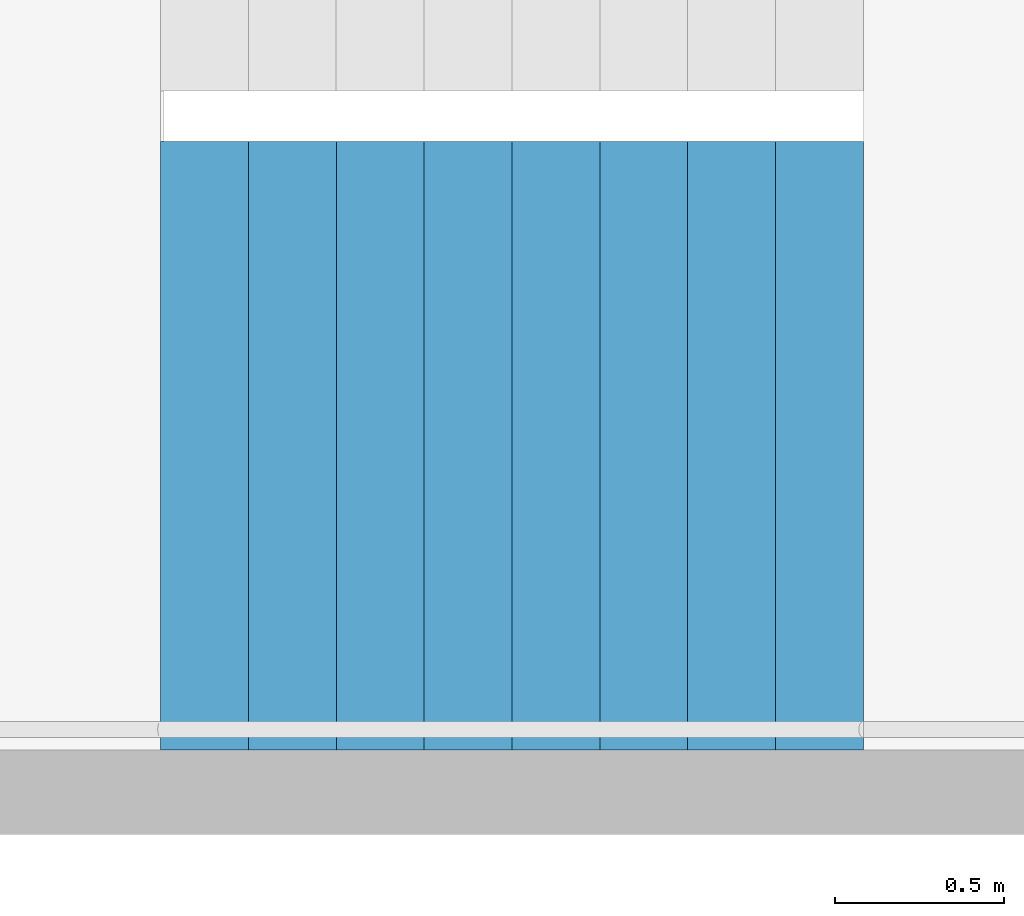
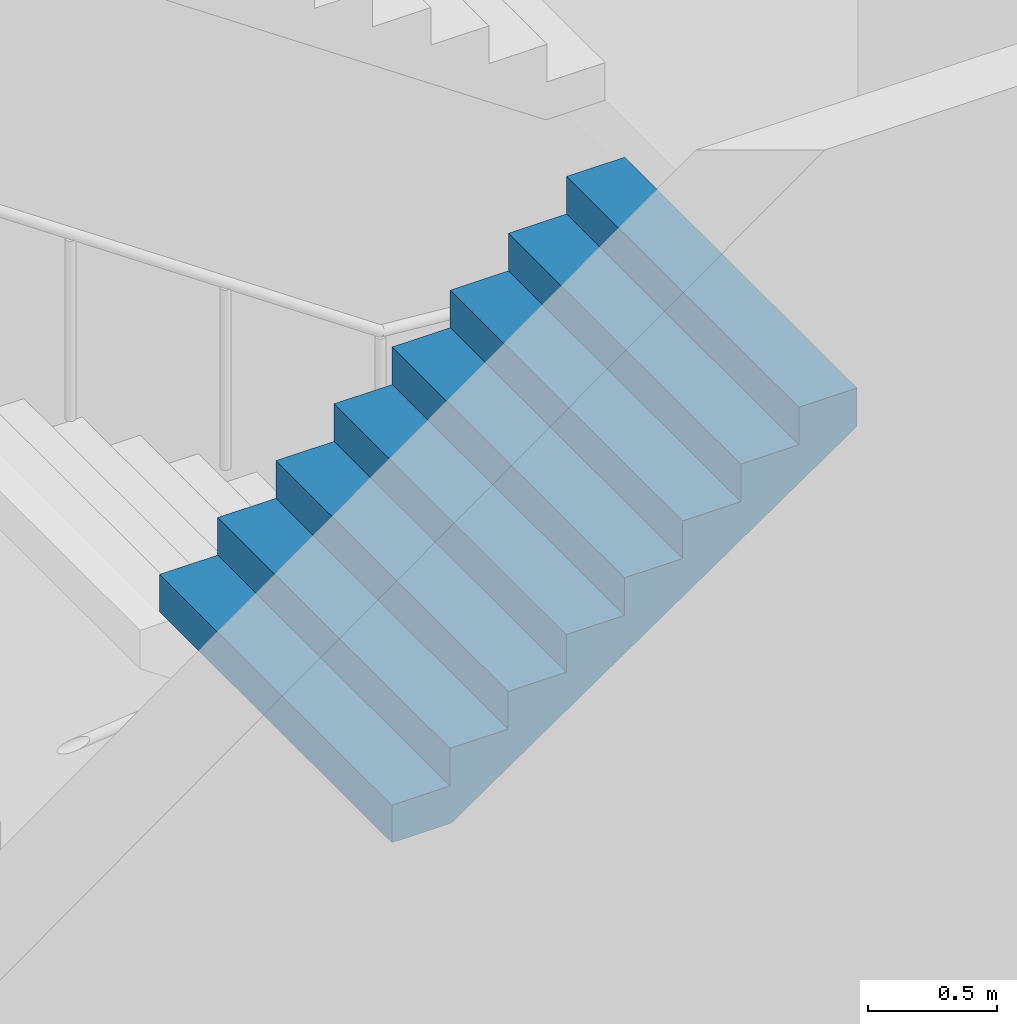
# One storey, part 22 of 44: 1 stair flight, 1 element without a shape of its own.
"""IFC4 building model written with IfcOpenShell, lengths in metres."""

import ifcopenshell
import ifcopenshell.guid

model = None  # the IFC model being written
_history = None  # IfcOwnerHistory: only IFC2X3 demands one
_inside = {}  # id of a spatial element -> (the spatial element, [elements in it])
_under = {}  # id of a project, library or spatial element -> (it, [spatial elements below it])
_declared = {}  # id of a project -> (the project, [libraries it declares])
_typed = {}  # id of a type object -> (the type object, [elements of that type])
_made_of = {}  # id of a material, layer set ... -> (it, [elements and type objects made of it])


def new_model(schema):
    """Start an empty IFC model of exactly this schema.

    Asked for "IFC4X3", IfcOpenShell would pick the latest addendum, in which some entities
    have other attributes; the version numbers below select the first issue.
    IFC2X3 requires an IfcOwnerHistory on every rooted entity: one is made here for all.
    """
    global model, _history
    if schema == "IFC4X3":
        model = ifcopenshell.file(schema_version=(4, 3, 0, 0))
    else:
        model = ifcopenshell.file(schema=schema)
    _inside.clear()
    _under.clear()
    _declared.clear()
    _typed.clear()
    _made_of.clear()
    _history = None
    if model.schema == "IFC2X3":
        org = make("IfcOrganization", Name="unknown")
        user = make(
            "IfcPersonAndOrganization",
            ThePerson=make("IfcPerson", FamilyName="unknown"),
            TheOrganization=org,
        )
        app = make(
            "IfcApplication",
            ApplicationDeveloper=org,
            Version="unknown",
            ApplicationFullName="unknown",
            ApplicationIdentifier="unknown",
        )
        _history = make(
            "IfcOwnerHistory",
            OwningUser=user,
            OwningApplication=app,
            ChangeAction="ADDED",
            CreationDate=0,
        )
    return model


def make(cls, **values):
    """One entity of the class cls with the attributes given. An attribute that is None is left unset."""
    return model.create_entity(
        cls, **{name: value for name, value in values.items() if value is not None}
    )


def rooted(cls, **values):
    """An entity with a GlobalId (a new one), such as an element, a storey or a relation."""
    return make(cls, GlobalId=ifcopenshell.guid.new(), OwnerHistory=_history, **values)


def si_unit(unit_type, name, prefix=None):
    """IfcSIUnit, for example si_unit("LENGTHUNIT", "METRE", prefix="MILLI")."""
    return make("IfcSIUnit", UnitType=unit_type, Prefix=prefix, Name=name)


def assignment(units):
    """IfcUnitAssignment: the units of a project."""
    return None if units is None else make("IfcUnitAssignment", Units=units)


def point(xyz):
    """IfcCartesianPoint."""
    return None if xyz is None else make("IfcCartesianPoint", Coordinates=xyz)


def direction(xyz):
    """IfcDirection."""
    return None if xyz is None else make("IfcDirection", DirectionRatios=xyz)


def frame(location, z_axis=None, x_axis=None):
    """IfcAxis2Placement3D, a coordinate frame: its origin and axes. An axis left out is left unset."""
    return make(
        "IfcAxis2Placement3D",
        Location=point(location),
        Axis=direction(z_axis),
        RefDirection=direction(x_axis),
    )


def origin():
    """The frame at (0, 0, 0) with its axes left unset."""
    return frame((0.0, 0.0, 0.0))


def place(relative_to, where):
    """IfcLocalPlacement: puts the frame where relative to a parent placement (None: the world)."""
    return make(
        "IfcLocalPlacement", PlacementRelTo=relative_to, RelativePlacement=where
    )


def context(
    kind, dimensions, precision=None, world=None, true_north=None, identifier=None
):
    """IfcGeometricRepresentationContext, for example the 3D "Model" context."""
    return make(
        "IfcGeometricRepresentationContext",
        ContextIdentifier=identifier,
        ContextType=kind,
        CoordinateSpaceDimension=dimensions,
        Precision=precision,
        WorldCoordinateSystem=world,
        TrueNorth=true_north,
    )


def subcontext(parent, identifier, kind, view, scale=None):
    """IfcGeometricRepresentationSubContext, for example "Body" below "Model"."""
    return make(
        "IfcGeometricRepresentationSubContext",
        ContextIdentifier=identifier,
        ContextType=kind,
        ParentContext=parent,
        TargetScale=scale,
        TargetView=view,
    )


def project(units=None, contexts=None):
    """IfcProject with its units and contexts."""
    return rooted(
        "IfcProject",
        Name="project",
        RepresentationContexts=contexts,
        UnitsInContext=assignment(units),
    )


def spatial(cls, under=None, at=None, **own):
    """A site, building, storey or space (cls), placed at a placement, below another one or the project."""
    s = rooted(cls, ObjectPlacement=at, **own)
    if under is not None:
        _under.setdefault(under.id(), (under, []))[1].append(s)
    return s


def point_list(points):
    """IfcCartesianPointList2D or 3D."""
    cls = (
        "IfcCartesianPointList2D" if len(points[0]) == 2 else "IfcCartesianPointList3D"
    )
    return make(cls, CoordList=points)


def triangles(points, corners, closed=None, point_numbers=None):
    """IfcTriangulatedFaceSet: each triangle names its three corners, points numbered from 1."""
    return make(
        "IfcTriangulatedFaceSet",
        Coordinates=point_list(points),
        Closed=closed,
        CoordIndex=corners,
        PnIndex=point_numbers,
    )


def shape(context_of_items, identifier, shape_type, items):
    """IfcShapeRepresentation: the items that make up one representation, for example the "Body"."""
    return make(
        "IfcShapeRepresentation",
        ContextOfItems=context_of_items,
        RepresentationIdentifier=identifier,
        RepresentationType=shape_type,
        Items=items,
    )


def material(Name=None, Category=None):
    """IfcMaterial."""
    return make("IfcMaterial", Name=Name, Category=Category)


def made_of(thing, what):
    """Note that an element or type object is made of a material, layer set ...; save() writes the relation."""
    if what is not None:
        _made_of.setdefault(what.id(), (what, []))[1].append(thing)
    return thing


def type_object(cls, material=None, **own):
    """A type object (cls), such as IfcWallType, which elements share."""
    return made_of(rooted(cls, **own), material)


def element(
    cls,
    number,
    at=None,
    inside=None,
    cuts=None,
    type_object=None,
    material=None,
    context=None,
    identifier="Body",
    shape_type=None,
    held_by="IfcProductDefinitionShape",
    body=None,
    shapes=None,
    **own,
):
    """One element of the class cls, such as IfcWall. Its Tag is "e" and its number.

    at: its placement. inside: the storey or other place that contains it. cuts: it is an
    opening in that element (IfcRelVoidsElement). A single representation is given by context,
    identifier, shape_type and body (its items); several are given by shapes. held_by: the class
    of the entity that holds the representations. save() writes the other relations.
    """
    e = rooted(cls, Tag="e%d" % number, ObjectPlacement=at, **own)
    if body is not None:
        shapes = [shape(context, identifier, shape_type, body)]
    if shapes is not None:
        e.Representation = make(held_by, Representations=shapes)
    if inside is not None:
        _inside.setdefault(inside.id(), (inside, []))[1].append(e)
    if cuts is not None:
        rooted(
            "IfcRelVoidsElement", RelatingBuildingElement=cuts, RelatedOpeningElement=e
        )
    if type_object is not None:
        _typed.setdefault(type_object.id(), (type_object, []))[1].append(e)
    return made_of(e, material)


def aggregate(whole, parts):
    """IfcRelAggregates: a whole, such as a stair, and the parts it consists of."""
    return rooted("IfcRelAggregates", RelatingObject=whole, RelatedObjects=parts)


def save(model, path):
    """Write the relations noted so far, then the file.

    IfcRelAggregates (storeys below a building ...), IfcRelContainedInSpatialStructure (elements
    in a storey), IfcRelDefinesByType, IfcRelAssociatesMaterial and IfcRelDeclares: one each for
    every whole, place, type object, material and project.
    """
    for whole, parts in _under.values():
        aggregate(whole, parts)
    for where, things in _inside.values():
        rooted(
            "IfcRelContainedInSpatialStructure",
            RelatedElements=things,
            RelatingStructure=where,
        )
    for kind, things in _typed.values():
        rooted("IfcRelDefinesByType", RelatedObjects=things, RelatingType=kind)
    for what, things in _made_of.values():
        rooted("IfcRelAssociatesMaterial", RelatedObjects=things, RelatingMaterial=what)
    for by, libraries in _declared.values():
        rooted("IfcRelDeclares", RelatingContext=by, RelatedDefinitions=libraries)
    model.write(path)


model = new_model("IFC4")

# Units and contexts
model_context = context("Model", 3, precision=1e-05, world=origin(), true_north=direction((0.0, 1.0)))
body_context = subcontext(model_context, "Body", "Model", "MODEL_VIEW")
ifc_project = project(units=[si_unit("LENGTHUNIT", "METRE"), si_unit("AREAUNIT", "SQUARE_METRE"), si_unit("VOLUMEUNIT", "CUBIC_METRE"), si_unit("PLANEANGLEUNIT", "RADIAN"), si_unit("MASSUNIT", "GRAM", prefix="KILO")], contexts=[model_context])

# Site, building, storey
site_placement = place(None, origin())
site = spatial("IfcSite", under=ifc_project, at=site_placement, CompositionType="ELEMENT")
building_placement = place(site_placement, origin())
building = spatial("IfcBuilding", under=site, at=building_placement, Name="Hakoniwa Tower and Hamabe Station Hall", CompositionType="ELEMENT")
storey_placement = place(building_placement, frame((0.0, 0.0, 69.0)))
storey = spatial("IfcBuildingStorey", under=building, at=storey_placement, Name="L19", CompositionType="ELEMENT", Elevation=69.0)

# Stair, stair flight
ifc_material_1 = material(Name="Concrete C40", Category="concrete")
stair_type = type_object("IfcStairType", Name="ESCAPE STAIR 1800", PredefinedType="HALF_TURN_STAIR", material=ifc_material_1)
stair_placement = place(storey_placement, origin())
stair = element("IfcStair", 1, at=stair_placement, inside=storey, type_object=stair_type, Name="Escape stair ST-1 L19", PredefinedType="HALF_TURN_STAIR")
ifc_material_2 = material(Name="Concrete C40", Category="concrete")
stair_flight_type = type_object("IfcStairFlightType", Name="STAIR FLIGHT 1800", PredefinedType="STRAIGHT", material=ifc_material_2)
stair_flight_placement = place(storey_placement, frame((-24.39990234375, 4.64990234375, 3.199951171875), z_axis=(0.0, 0.0, 1.0), x_axis=(1.0, 0.0, 0.0)))
stair_flight = element("IfcStairFlight", 2, at=stair_flight_placement, type_object=stair_flight_type, Name="ST-1 flight 3", NumberOfRisers=9, NumberOfTreads=8, PredefinedType="STRAIGHT", RiserHeight=0.177777778, TreadLength=0.26, context=body_context, shape_type="Tessellation", body=[
    triangles([(0.0, 0.89990234375, 0.0), (0.260009765625, 0.89990234375, 0.0), (0.265625, 0.89990234375, 0.0), (0.52001953125, 0.89990234375, 0.174072265625), (0.780029296875, 0.89990234375, 0.351806640625), (1.0400390625, 0.89990234375, 0.529541015625), (1.300048828125, 0.89990234375, 0.707275390625), (1.56005859375, 0.89990234375, 0.885009765625), (1.820068359375, 0.89990234375, 1.062744140625), (2.080078125, 0.89990234375, 1.24072265625), (2.080078125, 0.89990234375, 1.422119140625), (1.820068359375, 0.89990234375, 1.422119140625), (1.820068359375, 0.89990234375, 1.244384765625), (1.56005859375, 0.89990234375, 1.244384765625), (1.56005859375, 0.89990234375, 1.066650390625), (1.300048828125, 0.89990234375, 1.066650390625), (1.300048828125, 0.89990234375, 0.888916015625), (1.0400390625, 0.89990234375, 0.888916015625), (1.0400390625, 0.89990234375, 0.711181640625), (0.780029296875, 0.89990234375, 0.711181640625), (0.780029296875, 0.89990234375, 0.533447265625), (0.52001953125, 0.89990234375, 0.533447265625), (0.52001953125, 0.89990234375, 0.35546875), (0.265625, 0.89990234375, 0.35546875), (0.260009765625, 0.89990234375, 0.35546875), (0.260009765625, 0.89990234375, 0.177734375), (0.0, 0.89990234375, 0.177734375), (0.0, 0.06005859375, 0.0), (0.260009765625, 0.06005859375, 0.0), (0.265625, 0.06005859375, 0.0), (0.52001953125, 0.06005859375, 0.174072265625), (0.780029296875, 0.06005859375, 0.351806640625), (1.0400390625, 0.06005859375, 0.529541015625), (1.300048828125, 0.06005859375, 0.707275390625), (1.56005859375, 0.06005859375, 0.885009765625), (1.820068359375, 0.06005859375, 1.062744140625), (2.080078125, 0.06005859375, 1.24072265625), (2.080078125, 0.06005859375, 1.422119140625), (1.820068359375, 0.06005859375, 1.422119140625), (1.820068359375, 0.06005859375, 1.244384765625), (1.56005859375, 0.06005859375, 1.244384765625), (1.56005859375, 0.06005859375, 1.066650390625), (1.300048828125, 0.06005859375, 1.066650390625), (1.300048828125, 0.06005859375, 0.888916015625), (1.0400390625, 0.06005859375, 0.888916015625), (1.0400390625, 0.06005859375, 0.711181640625), (0.780029296875, 0.06005859375, 0.711181640625), (0.780029296875, 0.06005859375, 0.533447265625), (0.52001953125, 0.06005859375, 0.533447265625), (0.52001953125, 0.06005859375, 0.35546875), (0.265625, 0.06005859375, 0.35546875), (0.260009765625, 0.06005859375, 0.35546875), (0.260009765625, 0.06005859375, 0.177734375), (0.0, 0.06005859375, 0.177734375), (0.0, 0.04296875, 0.0), (0.260009765625, 0.04296875, 0.0), (0.265625, 0.04296875, 0.0), (0.52001953125, 0.04296875, 0.174072265625), (0.780029296875, 0.04296875, 0.351806640625), (1.0400390625, 0.04296875, 0.529541015625), (1.300048828125, 0.04296875, 0.707275390625), (1.56005859375, 0.04296875, 0.885009765625), (1.820068359375, 0.04296875, 1.062744140625), (2.080078125, 0.04296875, 1.24072265625), (2.080078125, 0.04296875, 1.422119140625), (1.820068359375, 0.04296875, 1.422119140625), (1.820068359375, 0.04296875, 1.244384765625), (1.56005859375, 0.04296875, 1.244384765625), (1.56005859375, 0.04296875, 1.066650390625), (1.300048828125, 0.04296875, 1.066650390625), (1.300048828125, 0.04296875, 0.888916015625), (1.0400390625, 0.04296875, 0.888916015625), (1.0400390625, 0.04296875, 0.711181640625), (0.780029296875, 0.04296875, 0.711181640625), (0.780029296875, 0.04296875, 0.533447265625), (0.52001953125, 0.04296875, 0.533447265625), (0.52001953125, 0.04296875, 0.35546875), (0.265625, 0.04296875, 0.35546875), (0.260009765625, 0.04296875, 0.35546875), (0.260009765625, 0.04296875, 0.177734375), (0.0, 0.04296875, 0.177734375), (0.0, 0.025634765625, 0.0), (0.260009765625, 0.025634765625, 0.0), (0.265625, 0.025634765625, 0.0), (0.52001953125, 0.025634765625, 0.174072265625), (0.780029296875, 0.025634765625, 0.351806640625), (1.0400390625, 0.025634765625, 0.529541015625), (1.300048828125, 0.025634765625, 0.707275390625), (1.56005859375, 0.025634765625, 0.885009765625), (1.820068359375, 0.025634765625, 1.062744140625), (2.080078125, 0.025634765625, 1.24072265625), (2.080078125, 0.025634765625, 1.422119140625), (1.820068359375, 0.025634765625, 1.422119140625), (1.820068359375, 0.025634765625, 1.244384765625), (1.56005859375, 0.025634765625, 1.244384765625), (1.56005859375, 0.025634765625, 1.066650390625), (1.300048828125, 0.025634765625, 1.066650390625), (1.300048828125, 0.025634765625, 0.888916015625), (1.0400390625, 0.025634765625, 0.888916015625), (1.0400390625, 0.025634765625, 0.711181640625), (0.780029296875, 0.025634765625, 0.711181640625), (0.780029296875, 0.025634765625, 0.533447265625), (0.52001953125, 0.025634765625, 0.533447265625), (0.52001953125, 0.025634765625, 0.35546875), (0.265625, 0.025634765625, 0.35546875), (0.260009765625, 0.025634765625, 0.35546875), (0.260009765625, 0.025634765625, 0.177734375), (0.0, 0.025634765625, 0.177734375), (0.0, 0.008544921875, 0.0), (0.260009765625, 0.008544921875, 0.0), (0.265625, 0.008544921875, 0.0), (0.52001953125, 0.008544921875, 0.174072265625), (0.780029296875, 0.008544921875, 0.351806640625), (1.0400390625, 0.008544921875, 0.529541015625), (1.300048828125, 0.008544921875, 0.707275390625), (1.56005859375, 0.008544921875, 0.885009765625), (1.820068359375, 0.008544921875, 1.062744140625), (2.080078125, 0.008544921875, 1.24072265625), (2.080078125, 0.008544921875, 1.422119140625), (1.820068359375, 0.008544921875, 1.422119140625), (1.820068359375, 0.008544921875, 1.244384765625), (1.56005859375, 0.008544921875, 1.244384765625), (1.56005859375, 0.008544921875, 1.066650390625), (1.300048828125, 0.008544921875, 1.066650390625), (1.300048828125, 0.008544921875, 0.888916015625), (1.0400390625, 0.008544921875, 0.888916015625), (1.0400390625, 0.008544921875, 0.711181640625), (0.780029296875, 0.008544921875, 0.711181640625), (0.780029296875, 0.008544921875, 0.533447265625), (0.52001953125, 0.008544921875, 0.533447265625), (0.52001953125, 0.008544921875, 0.35546875), (0.265625, 0.008544921875, 0.35546875), (0.260009765625, 0.008544921875, 0.35546875), (0.260009765625, 0.008544921875, 0.177734375), (0.0, 0.008544921875, 0.177734375), (0.0, -0.008544921875, 0.0), (0.260009765625, -0.008544921875, 0.0), (0.265625, -0.008544921875, 0.0), (0.52001953125, -0.008544921875, 0.174072265625), (0.780029296875, -0.008544921875, 0.351806640625), (1.0400390625, -0.008544921875, 0.529541015625), (1.300048828125, -0.008544921875, 0.707275390625), (1.56005859375, -0.008544921875, 0.885009765625), (1.820068359375, -0.008544921875, 1.062744140625), (2.080078125, -0.008544921875, 1.24072265625), (2.080078125, -0.008544921875, 1.422119140625), (1.820068359375, -0.008544921875, 1.422119140625), (1.820068359375, -0.008544921875, 1.244384765625), (1.56005859375, -0.008544921875, 1.244384765625), (1.56005859375, -0.008544921875, 1.066650390625), (1.300048828125, -0.008544921875, 1.066650390625), (1.300048828125, -0.008544921875, 0.888916015625), (1.0400390625, -0.008544921875, 0.888916015625), (1.0400390625, -0.008544921875, 0.711181640625), (0.780029296875, -0.008544921875, 0.711181640625), (0.780029296875, -0.008544921875, 0.533447265625), (0.52001953125, -0.008544921875, 0.533447265625), (0.52001953125, -0.008544921875, 0.35546875), (0.265625, -0.008544921875, 0.35546875), (0.260009765625, -0.008544921875, 0.35546875), (0.260009765625, -0.008544921875, 0.177734375), (0.0, -0.008544921875, 0.177734375), (0.0, -0.025634765625, 0.0), (0.260009765625, -0.025634765625, 0.0), (0.265625, -0.025634765625, 0.0), (0.52001953125, -0.025634765625, 0.174072265625), (0.780029296875, -0.025634765625, 0.351806640625), (1.0400390625, -0.025634765625, 0.529541015625), (1.300048828125, -0.025634765625, 0.707275390625), (1.56005859375, -0.025634765625, 0.885009765625), (1.820068359375, -0.025634765625, 1.062744140625), (2.080078125, -0.025634765625, 1.24072265625), (2.080078125, -0.025634765625, 1.422119140625), (1.820068359375, -0.025634765625, 1.422119140625), (1.820068359375, -0.025634765625, 1.244384765625), (1.56005859375, -0.025634765625, 1.244384765625), (1.56005859375, -0.025634765625, 1.066650390625), (1.300048828125, -0.025634765625, 1.066650390625), (1.300048828125, -0.025634765625, 0.888916015625), (1.0400390625, -0.025634765625, 0.888916015625), (1.0400390625, -0.025634765625, 0.711181640625), (0.780029296875, -0.025634765625, 0.711181640625), (0.780029296875, -0.025634765625, 0.533447265625), (0.52001953125, -0.025634765625, 0.533447265625), (0.52001953125, -0.025634765625, 0.35546875), (0.265625, -0.025634765625, 0.35546875), (0.260009765625, -0.025634765625, 0.35546875), (0.260009765625, -0.025634765625, 0.177734375), (0.0, -0.025634765625, 0.177734375), (0.0, -0.04296875, 0.0), (0.260009765625, -0.04296875, 0.0), (0.265625, -0.04296875, 0.0), (0.52001953125, -0.04296875, 0.174072265625), (0.780029296875, -0.04296875, 0.351806640625), (1.0400390625, -0.04296875, 0.529541015625), (1.300048828125, -0.04296875, 0.707275390625), (1.56005859375, -0.04296875, 0.885009765625), (1.820068359375, -0.04296875, 1.062744140625), (2.080078125, -0.04296875, 1.24072265625), (2.080078125, -0.04296875, 1.422119140625), (1.820068359375, -0.04296875, 1.422119140625), (1.820068359375, -0.04296875, 1.244384765625), (1.56005859375, -0.04296875, 1.244384765625), (1.56005859375, -0.04296875, 1.066650390625), (1.300048828125, -0.04296875, 1.066650390625), (1.300048828125, -0.04296875, 0.888916015625), (1.0400390625, -0.04296875, 0.888916015625), (1.0400390625, -0.04296875, 0.711181640625), (0.780029296875, -0.04296875, 0.711181640625), (0.780029296875, -0.04296875, 0.533447265625), (0.52001953125, -0.04296875, 0.533447265625), (0.52001953125, -0.04296875, 0.35546875), (0.265625, -0.04296875, 0.35546875), (0.260009765625, -0.04296875, 0.35546875), (0.260009765625, -0.04296875, 0.177734375), (0.0, -0.04296875, 0.177734375), (0.0, -0.06005859375, 0.0), (0.260009765625, -0.06005859375, 0.0), (0.265625, -0.06005859375, 0.0), (0.52001953125, -0.06005859375, 0.174072265625), (0.780029296875, -0.06005859375, 0.351806640625), (1.0400390625, -0.06005859375, 0.529541015625), (1.300048828125, -0.06005859375, 0.707275390625), (1.56005859375, -0.06005859375, 0.885009765625), (1.820068359375, -0.06005859375, 1.062744140625), (2.080078125, -0.06005859375, 1.24072265625), (2.080078125, -0.06005859375, 1.422119140625), (1.820068359375, -0.06005859375, 1.422119140625), (1.820068359375, -0.06005859375, 1.244384765625), (1.56005859375, -0.06005859375, 1.244384765625), (1.56005859375, -0.06005859375, 1.066650390625), (1.300048828125, -0.06005859375, 1.066650390625), (1.300048828125, -0.06005859375, 0.888916015625), (1.0400390625, -0.06005859375, 0.888916015625), (1.0400390625, -0.06005859375, 0.711181640625), (0.780029296875, -0.06005859375, 0.711181640625), (0.780029296875, -0.06005859375, 0.533447265625), (0.52001953125, -0.06005859375, 0.533447265625), (0.52001953125, -0.06005859375, 0.35546875), (0.265625, -0.06005859375, 0.35546875), (0.260009765625, -0.06005859375, 0.35546875), (0.260009765625, -0.06005859375, 0.177734375), (0.0, -0.06005859375, 0.177734375), (0.0, -0.89990234375, 0.0), (0.260009765625, -0.89990234375, 0.0), (0.265625, -0.89990234375, 0.0), (0.52001953125, -0.89990234375, 0.174072265625), (0.780029296875, -0.89990234375, 0.351806640625), (1.0400390625, -0.89990234375, 0.529541015625), (1.300048828125, -0.89990234375, 0.707275390625), (1.56005859375, -0.89990234375, 0.885009765625), (1.820068359375, -0.89990234375, 1.062744140625), (2.080078125, -0.89990234375, 1.24072265625), (2.080078125, -0.89990234375, 1.422119140625), (1.820068359375, -0.89990234375, 1.422119140625), (1.820068359375, -0.89990234375, 1.244384765625), (1.56005859375, -0.89990234375, 1.244384765625), (1.56005859375, -0.89990234375, 1.066650390625), (1.300048828125, -0.89990234375, 1.066650390625), (1.300048828125, -0.89990234375, 0.888916015625), (1.0400390625, -0.89990234375, 0.888916015625), (1.0400390625, -0.89990234375, 0.711181640625), (0.780029296875, -0.89990234375, 0.711181640625), (0.780029296875, -0.89990234375, 0.533447265625), (0.52001953125, -0.89990234375, 0.533447265625), (0.52001953125, -0.89990234375, 0.35546875), (0.265625, -0.89990234375, 0.35546875), (0.260009765625, -0.89990234375, 0.35546875), (0.260009765625, -0.89990234375, 0.177734375), (0.0, -0.89990234375, 0.177734375)], [[2, 27, 26], [245, 269, 270], [2, 1, 27], [245, 270, 244], [3, 25, 24], [246, 267, 268], [3, 26, 25], [246, 268, 269], [3, 2, 26], [246, 269, 245], [4, 24, 23], [247, 266, 267], [4, 3, 24], [247, 267, 246], [5, 22, 21], [248, 264, 265], [5, 23, 22], [248, 265, 266], [5, 4, 23], [248, 266, 247], [6, 20, 19], [249, 262, 263], [6, 21, 20], [249, 263, 264], [6, 5, 21], [249, 264, 248], [7, 18, 17], [250, 260, 261], [7, 19, 18], [250, 261, 262], [7, 6, 19], [250, 262, 249], [8, 16, 15], [251, 258, 259], [8, 17, 16], [251, 259, 260], [8, 7, 17], [251, 260, 250], [9, 14, 13], [252, 256, 257], [9, 15, 14], [252, 257, 258], [9, 8, 15], [252, 258, 251], [10, 12, 11], [253, 254, 255], [10, 13, 12], [253, 255, 256], [10, 9, 13], [253, 256, 252], [1, 2, 29], [1, 29, 28], [28, 29, 56], [28, 56, 55], [55, 56, 83], [55, 83, 82], [82, 83, 110], [82, 110, 109], [109, 110, 137], [109, 137, 136], [136, 137, 164], [136, 164, 163], [163, 164, 191], [163, 191, 190], [190, 191, 218], [190, 218, 217], [217, 218, 245], [217, 245, 244], [2, 3, 30], [2, 30, 29], [29, 30, 57], [29, 57, 56], [56, 57, 84], [56, 84, 83], [83, 84, 111], [83, 111, 110], [110, 111, 138], [110, 138, 137], [137, 138, 165], [137, 165, 164], [164, 165, 192], [164, 192, 191], [191, 192, 219], [191, 219, 218], [218, 219, 246], [218, 246, 245], [3, 4, 31], [3, 31, 30], [30, 31, 58], [30, 58, 57], [57, 58, 85], [57, 85, 84], [84, 85, 112], [84, 112, 111], [111, 112, 139], [111, 139, 138], [138, 139, 166], [138, 166, 165], [165, 166, 193], [165, 193, 192], [192, 193, 220], [192, 220, 219], [219, 220, 247], [219, 247, 246], [4, 5, 32], [4, 32, 31], [31, 32, 59], [31, 59, 58], [58, 59, 86], [58, 86, 85], [85, 86, 113], [85, 113, 112], [112, 113, 140], [112, 140, 139], [139, 140, 167], [139, 167, 166], [166, 167, 194], [166, 194, 193], [193, 194, 221], [193, 221, 220], [220, 221, 248], [220, 248, 247], [5, 6, 33], [5, 33, 32], [32, 33, 60], [32, 60, 59], [59, 60, 87], [59, 87, 86], [86, 87, 114], [86, 114, 113], [113, 114, 141], [113, 141, 140], [140, 141, 168], [140, 168, 167], [167, 168, 195], [167, 195, 194], [194, 195, 222], [194, 222, 221], [221, 222, 249], [221, 249, 248], [6, 7, 34], [6, 34, 33], [33, 34, 61], [33, 61, 60], [60, 61, 88], [60, 88, 87], [87, 88, 115], [87, 115, 114], [114, 115, 142], [114, 142, 141], [141, 142, 169], [141, 169, 168], [168, 169, 196], [168, 196, 195], [195, 196, 223], [195, 223, 222], [222, 223, 250], [222, 250, 249], [7, 8, 35], [7, 35, 34], [34, 35, 62], [34, 62, 61], [61, 62, 89], [61, 89, 88], [88, 89, 116], [88, 116, 115], [115, 116, 143], [115, 143, 142], [142, 143, 170], [142, 170, 169], [169, 170, 197], [169, 197, 196], [196, 197, 224], [196, 224, 223], [223, 224, 251], [223, 251, 250], [8, 9, 36], [8, 36, 35], [35, 36, 63], [35, 63, 62], [62, 63, 90], [62, 90, 89], [89, 90, 117], [89, 117, 116], [116, 117, 144], [116, 144, 143], [143, 144, 171], [143, 171, 170], [170, 171, 198], [170, 198, 197], [197, 198, 225], [197, 225, 224], [224, 225, 252], [224, 252, 251], [9, 10, 37], [9, 37, 36], [36, 37, 64], [36, 64, 63], [63, 64, 91], [63, 91, 90], [90, 91, 118], [90, 118, 117], [117, 118, 145], [117, 145, 144], [144, 145, 172], [144, 172, 171], [171, 172, 199], [171, 199, 198], [198, 199, 226], [198, 226, 225], [225, 226, 253], [225, 253, 252], [10, 11, 38], [10, 38, 37], [37, 38, 65], [37, 65, 64], [64, 65, 92], [64, 92, 91], [91, 92, 119], [91, 119, 118], [118, 119, 146], [118, 146, 145], [145, 146, 173], [145, 173, 172], [172, 173, 200], [172, 200, 199], [199, 200, 227], [199, 227, 226], [226, 227, 254], [226, 254, 253], [11, 12, 39], [11, 39, 38], [38, 39, 66], [38, 66, 65], [65, 66, 93], [65, 93, 92], [92, 93, 120], [92, 120, 119], [119, 120, 147], [119, 147, 146], [146, 147, 174], [146, 174, 173], [173, 174, 201], [173, 201, 200], [200, 201, 228], [200, 228, 227], [227, 228, 255], [227, 255, 254], [12, 13, 40], [12, 40, 39], [39, 40, 67], [39, 67, 66], [66, 67, 94], [66, 94, 93], [93, 94, 121], [93, 121, 120], [120, 121, 148], [120, 148, 147], [147, 148, 175], [147, 175, 174], [174, 175, 202], [174, 202, 201], [201, 202, 229], [201, 229, 228], [228, 229, 256], [228, 256, 255], [13, 14, 41], [13, 41, 40], [40, 41, 68], [40, 68, 67], [67, 68, 95], [67, 95, 94], [94, 95, 122], [94, 122, 121], [121, 122, 149], [121, 149, 148], [148, 149, 176], [148, 176, 175], [175, 176, 203], [175, 203, 202], [202, 203, 230], [202, 230, 229], [229, 230, 257], [229, 257, 256], [14, 15, 42], [14, 42, 41], [41, 42, 69], [41, 69, 68], [68, 69, 96], [68, 96, 95], [95, 96, 123], [95, 123, 122], [122, 123, 150], [122, 150, 149], [149, 150, 177], [149, 177, 176], [176, 177, 204], [176, 204, 203], [203, 204, 231], [203, 231, 230], [230, 231, 258], [230, 258, 257], [15, 16, 43], [15, 43, 42], [42, 43, 70], [42, 70, 69], [69, 70, 97], [69, 97, 96], [96, 97, 124], [96, 124, 123], [123, 124, 151], [123, 151, 150], [150, 151, 178], [150, 178, 177], [177, 178, 205], [177, 205, 204], [204, 205, 232], [204, 232, 231], [231, 232, 259], [231, 259, 258], [16, 17, 44], [16, 44, 43], [43, 44, 71], [43, 71, 70], [70, 71, 98], [70, 98, 97], [97, 98, 125], [97, 125, 124], [124, 125, 152], [124, 152, 151], [151, 152, 179], [151, 179, 178], [178, 179, 206], [178, 206, 205], [205, 206, 233], [205, 233, 232], [232, 233, 260], [232, 260, 259], [17, 18, 45], [17, 45, 44], [44, 45, 72], [44, 72, 71], [71, 72, 99], [71, 99, 98], [98, 99, 126], [98, 126, 125], [125, 126, 153], [125, 153, 152], [152, 153, 180], [152, 180, 179], [179, 180, 207], [179, 207, 206], [206, 207, 234], [206, 234, 233], [233, 234, 261], [233, 261, 260], [18, 19, 46], [18, 46, 45], [45, 46, 73], [45, 73, 72], [72, 73, 100], [72, 100, 99], [99, 100, 127], [99, 127, 126], [126, 127, 154], [126, 154, 153], [153, 154, 181], [153, 181, 180], [180, 181, 208], [180, 208, 207], [207, 208, 235], [207, 235, 234], [234, 235, 262], [234, 262, 261], [19, 20, 47], [19, 47, 46], [46, 47, 74], [46, 74, 73], [73, 74, 101], [73, 101, 100], [100, 101, 128], [100, 128, 127], [127, 128, 155], [127, 155, 154], [154, 155, 182], [154, 182, 181], [181, 182, 209], [181, 209, 208], [208, 209, 236], [208, 236, 235], [235, 236, 263], [235, 263, 262], [20, 21, 48], [20, 48, 47], [47, 48, 75], [47, 75, 74], [74, 75, 102], [74, 102, 101], [101, 102, 129], [101, 129, 128], [128, 129, 156], [128, 156, 155], [155, 156, 183], [155, 183, 182], [182, 183, 210], [182, 210, 209], [209, 210, 237], [209, 237, 236], [236, 237, 264], [236, 264, 263], [21, 22, 49], [21, 49, 48], [48, 49, 76], [48, 76, 75], [75, 76, 103], [75, 103, 102], [102, 103, 130], [102, 130, 129], [129, 130, 157], [129, 157, 156], [156, 157, 184], [156, 184, 183], [183, 184, 211], [183, 211, 210], [210, 211, 238], [210, 238, 237], [237, 238, 265], [237, 265, 264], [22, 23, 50], [22, 50, 49], [49, 50, 77], [49, 77, 76], [76, 77, 104], [76, 104, 103], [103, 104, 131], [103, 131, 130], [130, 131, 158], [130, 158, 157], [157, 158, 185], [157, 185, 184], [184, 185, 212], [184, 212, 211], [211, 212, 239], [211, 239, 238], [238, 239, 266], [238, 266, 265], [23, 24, 51], [23, 51, 50], [50, 51, 78], [50, 78, 77], [77, 78, 105], [77, 105, 104], [104, 105, 132], [104, 132, 131], [131, 132, 159], [131, 159, 158], [158, 159, 186], [158, 186, 185], [185, 186, 213], [185, 213, 212], [212, 213, 240], [212, 240, 239], [239, 240, 267], [239, 267, 266], [24, 25, 52], [24, 52, 51], [51, 52, 79], [51, 79, 78], [78, 79, 106], [78, 106, 105], [105, 106, 133], [105, 133, 132], [132, 133, 160], [132, 160, 159], [159, 160, 187], [159, 187, 186], [186, 187, 214], [186, 214, 213], [213, 214, 241], [213, 241, 240], [240, 241, 268], [240, 268, 267], [25, 26, 53], [25, 53, 52], [52, 53, 80], [52, 80, 79], [79, 80, 107], [79, 107, 106], [106, 107, 134], [106, 134, 133], [133, 134, 161], [133, 161, 160], [160, 161, 188], [160, 188, 187], [187, 188, 215], [187, 215, 214], [214, 215, 242], [214, 242, 241], [241, 242, 269], [241, 269, 268], [26, 27, 54], [26, 54, 53], [53, 54, 81], [53, 81, 80], [80, 81, 108], [80, 108, 107], [107, 108, 135], [107, 135, 134], [134, 135, 162], [134, 162, 161], [161, 162, 189], [161, 189, 188], [188, 189, 216], [188, 216, 215], [215, 216, 243], [215, 243, 242], [242, 243, 270], [242, 270, 269], [27, 1, 28], [27, 28, 54], [54, 28, 55], [54, 55, 81], [81, 55, 82], [81, 82, 108], [108, 82, 109], [108, 109, 135], [135, 109, 136], [135, 136, 162], [162, 136, 163], [162, 163, 189], [189, 163, 190], [189, 190, 216], [216, 190, 217], [216, 217, 243], [243, 217, 244], [243, 244, 270]], closed=True),
])
aggregate(stair, [stair_flight])

save(model, "model.ifc")
